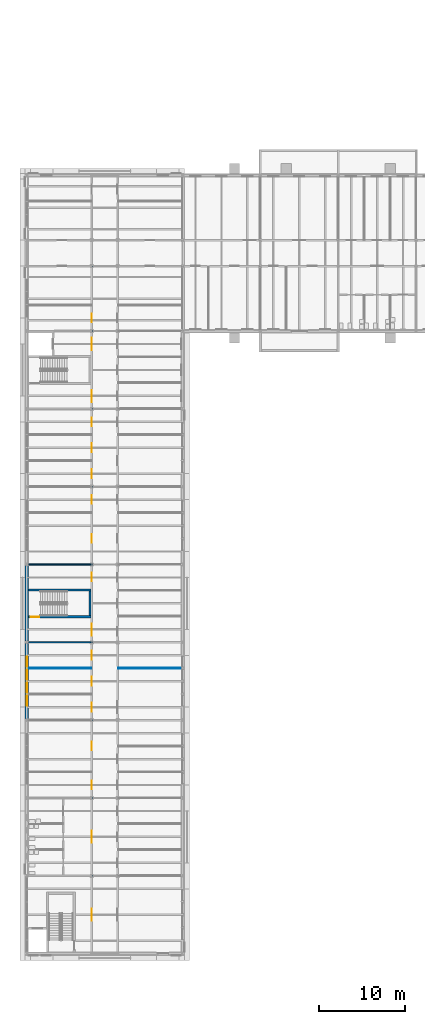
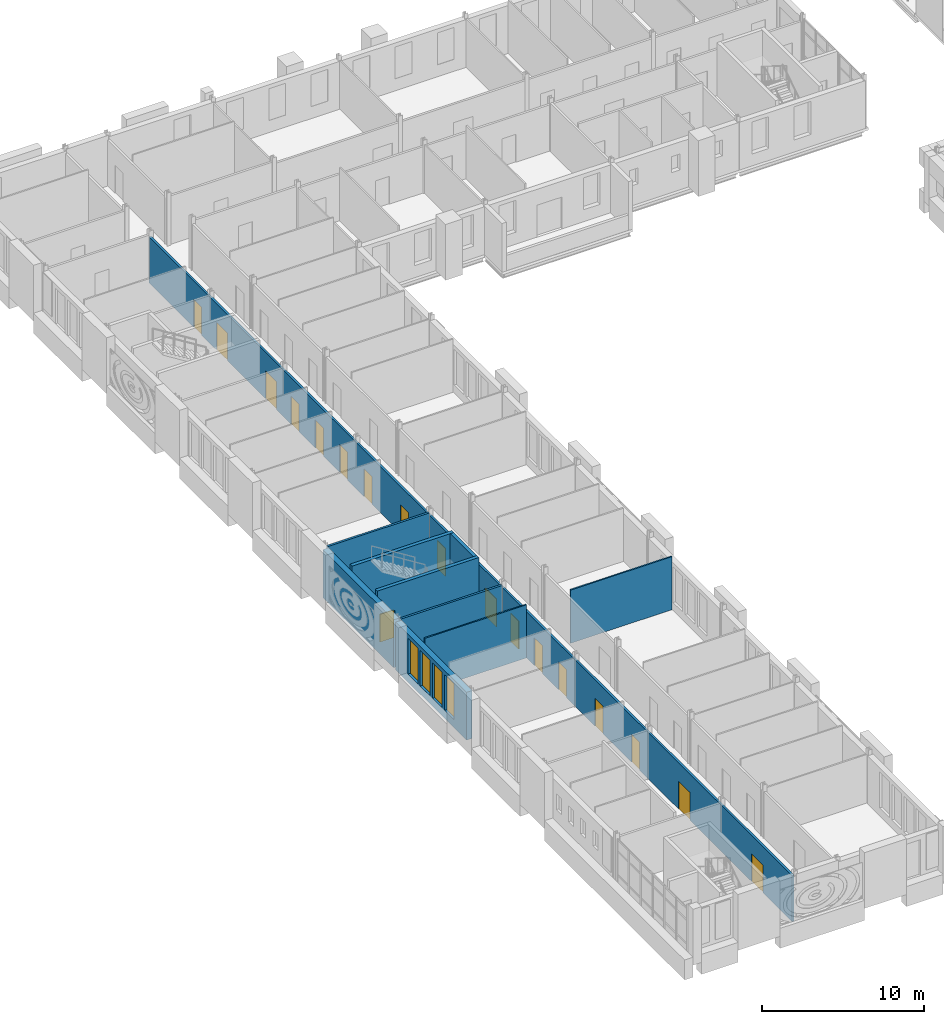
# One storey, part 101 of 154: 18 doors, 10 walls, 4 windows, 22 openings.
"""IFC4 building model written with IfcOpenShell, lengths in metres."""

from ifc_helpers import new_model, si_unit, direction, frame, frame_2d, origin, place, context, subcontext, project, spatial, rectangle, extrude, material, layer, layer_set, type_object, element, fill, save


model = new_model("IFC4")

# Units and contexts
model_context = context("Model", 3, precision=1e-05, world=origin(), true_north=direction((0.0, 1.0)))
body_context = subcontext(model_context, "Body", "Model", "MODEL_VIEW")
ifc_project = project(units=[si_unit("LENGTHUNIT", "METRE"), si_unit("AREAUNIT", "SQUARE_METRE"), si_unit("VOLUMEUNIT", "CUBIC_METRE"), si_unit("PLANEANGLEUNIT", "RADIAN"), si_unit("MASSUNIT", "GRAM", prefix="KILO")], contexts=[model_context])

# Site, building, storey
site_placement = place(None, origin())
site = spatial("IfcSite", under=ifc_project, at=site_placement, CompositionType="ELEMENT")
building_placement = place(site_placement, origin())
building = spatial("IfcBuilding", under=site, at=building_placement, Name="Golden Quay Civic Hall", CompositionType="ELEMENT")
storey_placement = place(building_placement, frame((0.0, 0.0, 14.39990234375)))
storey = spatial("IfcBuildingStorey", under=building, at=storey_placement, Name="L03", CompositionType="ELEMENT", Elevation=14.39990234375)

# Wall, opening, door
ifc_material_1 = material(Name="Concrete C40/50", Category="concrete")
ifc_layer_1 = layer(ifc_material_1, 0.25)
ifc_layer_set_1 = layer_set([ifc_layer_1], Name="Concrete core wall 250, Concrete C40/50")
wall_type_1 = type_object("IfcWallType", Name="Concrete core wall 250", PredefinedType="SHEAR", material=ifc_layer_set_1)
wall_1_placement = place(storey_placement, frame((0.199951171875, 29.949951171875, 0.0), z_axis=(0.0, 0.0, 1.0), x_axis=(1.0, 0.0, 0.0)))
wall_1 = element("IfcWall", 1, at=wall_1_placement, inside=storey, type_object=wall_type_1, Name="Core wall WO-M-W1", PredefinedType="SHEAR", context=body_context, shape_type="SweptSolid", body=[
    extrude(rectangle(XDim=7.22509765625, YDim=0.25, at=frame_2d((3.612548828125, 0.0))), origin(), (0.0, 0.0, 1.0), 4.0),
])
opening_1_placement = place(wall_1_placement, frame((0.25, 0.0, 0.0)))
opening_1 = element("IfcOpeningElement", 2, at=opening_1_placement, cuts=wall_1, Name="Opening L03-D043", PredefinedType="OPENING", context=body_context, shape_type="SweptSolid", body=[
    extrude(rectangle(XDim=1.0, YDim=2.10009765625, at=frame_2d((0.5, 1.050048828125))), frame((0.0, 0.135009765625, 0.0), z_axis=(0.0, -1.0, 0.0), x_axis=(1.0, 0.0, 0.0)), (0.0, 0.0, 1.0), 0.27001953125),
])
ifc_material_2 = material(Name="Steel", Category="steel")
door_type_1 = type_object("IfcDoorType", Name="Steel fire door FD60 1000 x 2100", OperationType="SINGLE_SWING_LEFT", PredefinedType="DOOR", material=ifc_material_2)
door_1_placement = place(opening_1_placement, origin())
door_1 = element("IfcDoor", 3, at=door_1_placement, inside=storey, type_object=door_type_1, Name="Door L03-D043", OperationType="SINGLE_SWING_LEFT", OverallHeight=2.10009765625, OverallWidth=1.0, PredefinedType="DOOR", context=body_context, shape_type="SweptSolid", body=[
    extrude(rectangle(XDim=1.0, YDim=2.10009765625, at=frame_2d((0.5, 1.050048828125))), frame((0.0, 0.02490234375, 0.0), z_axis=(0.0, -1.0, 0.0), x_axis=(1.0, 0.0, 0.0)), (0.0, 0.0, 1.0), 0.050048828125),
])
fill(opening_1, door_1)

# Walls
wall_2_placement = place(storey_placement, frame((0.199951171875, 33.050048828125, 0.0), z_axis=(0.0, 0.0, 1.0), x_axis=(1.0, 0.0, 0.0)))
element("IfcWall", 4, at=wall_2_placement, inside=storey, type_object=wall_type_1, Name="Core wall WO-M-W2", PredefinedType="SHEAR", context=body_context, shape_type="SweptSolid", body=[
    extrude(rectangle(XDim=7.22509765625, YDim=0.25, at=frame_2d((3.612548828125, 0.0))), origin(), (0.0, 0.0, 1.0), 4.0),
])
wall_3_placement = place(storey_placement, frame((7.300048828125, 30.074951171875, 0.0), z_axis=(0.0, 0.0, 1.0), x_axis=(0.0, 1.0, 0.0)))
element("IfcWall", 5, at=wall_3_placement, inside=storey, type_object=wall_type_1, Name="Core wall WO-M-W3", PredefinedType="SHEAR", context=body_context, shape_type="SweptSolid", body=[
    extrude(rectangle(XDim=2.85009765625, YDim=0.25, at=frame_2d((1.425048828125, 0.0))), origin(), (0.0, 0.0, 1.0), 4.0),
])
ifc_material_3 = material(Name="Plasterboard on steel studs", Category="steel")
ifc_layer_2 = layer(ifc_material_3, 0.10009765625)
ifc_layer_set_2 = layer_set([ifc_layer_2], Name="Partition 100 stud")
wall_type_2 = type_object("IfcWallType", Name="Partition 100 stud", PredefinedType="PARTITIONING", material=ifc_layer_set_2)
for number, where, z_axis, x_axis, name in (
    (6, (0.199951171875, 24.0, 0.0), (0.0, 0.0, 1.0), (1.0, 0.0, 0.0), "Partition L03-004"),
    (7, (10.574951171875, 24.0, 0.0), (0.0, 0.0, 1.0), (1.0, 0.0, 0.0), "Partition L03-018"),
):
    element("IfcWall", number, at=place(storey_placement, frame(where, z_axis=z_axis, x_axis=x_axis)), inside=storey, type_object=wall_type_2, Name=name, PredefinedType="PARTITIONING", context=body_context, shape_type="SweptSolid", body=[
        extrude(rectangle(XDim=7.22509765625, YDim=0.10009765625, at=frame_2d((3.612548828125, 0.0))), origin(), (0.0, 0.0, 1.0), 4.0),
    ])
ifc_material_4 = material(Name="Plasterboard on steel studs", Category="steel")
ifc_layer_3 = layer(ifc_material_4, 0.14990234375)
ifc_layer_set_3 = layer_set([ifc_layer_3], Name="Partition 150 stud fire EI 60")
wall_type_3 = type_object("IfcWallType", Name="Partition 150 stud fire EI 60", PredefinedType="PARTITIONING", material=ifc_layer_set_3)
for number, where, z_axis, x_axis, name in (
    (8, (0.199951171875, 27.0, 0.0), (0.0, 0.0, 1.0), (1.0, 0.0, 0.0), "Partition L03-005"),
    (9, (0.199951171875, 36.0, 0.0), (0.0, 0.0, 1.0), (1.0, 0.0, 0.0), "Partition L03-006"),
):
    element("IfcWall", number, at=place(storey_placement, frame(where, z_axis=z_axis, x_axis=x_axis)), inside=storey, type_object=wall_type_3, Name=name, PredefinedType="PARTITIONING", context=body_context, shape_type="SweptSolid", body=[
        extrude(rectangle(XDim=7.22509765625, YDim=0.14990234375, at=frame_2d((3.612548828125, 0.0))), origin(), (0.0, 0.0, 1.0), 3.650146484375),
    ])

# Wall, openings, doors
wall_4_placement = place(storey_placement, frame((7.5, -8.800048828125, 0.0), z_axis=(0.0, 0.0, 1.0), x_axis=(0.0, 1.0, 0.0)))
wall_4 = element("IfcWall", 10, at=wall_4_placement, inside=storey, type_object=wall_type_3, Name="Partition L03-030", PredefinedType="PARTITIONING", context=body_context, shape_type="SweptSolid", body=[
    extrude(rectangle(XDim=79.300048828125, YDim=0.14990234375, at=frame_2d((39.64990234375, 0.0))), origin(), (0.0, 0.0, 1.0), 3.47998046875),
])
opening_2_placement = place(wall_4_placement, frame((18.800048828125, 0.0, 0.0)))
opening_2 = element("IfcOpeningElement", 11, at=opening_2_placement, cuts=wall_4, Name="Opening L03-D006", PredefinedType="OPENING", context=body_context, shape_type="SweptSolid", body=[
    extrude(rectangle(XDim=1.0, YDim=2.10009765625, at=frame_2d((0.5, 1.050048828125))), frame((0.0, 0.0849609375, 0.0), z_axis=(0.0, -1.0, 0.0), x_axis=(1.0, 0.0, 0.0)), (0.0, 0.0, 1.0), 0.169921875),
])
opening_3_placement = place(wall_4_placement, frame((23.300048828125, 0.0, 0.0)))
opening_3 = element("IfcOpeningElement", 12, at=opening_3_placement, cuts=wall_4, Name="Opening L03-D007", PredefinedType="OPENING", context=body_context, shape_type="SweptSolid", body=[
    extrude(rectangle(XDim=1.0, YDim=2.10009765625, at=frame_2d((0.5, 1.050048828125))), frame((0.0, 0.0849609375, 0.0), z_axis=(0.0, -1.0, 0.0), x_axis=(1.0, 0.0, 0.0)), (0.0, 0.0, 1.0), 0.169921875),
])
opening_4_placement = place(wall_4_placement, frame((27.800048828125, 0.0, 0.0)))
opening_4 = element("IfcOpeningElement", 13, at=opening_4_placement, cuts=wall_4, Name="Opening L03-D008", PredefinedType="OPENING", context=body_context, shape_type="SweptSolid", body=[
    extrude(rectangle(XDim=1.0, YDim=2.10009765625, at=frame_2d((0.5, 1.050048828125))), frame((0.0, 0.0849609375, 0.0), z_axis=(0.0, -1.0, 0.0), x_axis=(1.0, 0.0, 0.0)), (0.0, 0.0, 1.0), 0.169921875),
])
opening_5_placement = place(wall_4_placement, frame((30.800048828125, 0.0, 0.0)))
opening_5 = element("IfcOpeningElement", 14, at=opening_5_placement, cuts=wall_4, Name="Opening L03-D009", PredefinedType="OPENING", context=body_context, shape_type="SweptSolid", body=[
    extrude(rectangle(XDim=1.0, YDim=2.10009765625, at=frame_2d((0.5, 1.050048828125))), frame((0.0, 0.0849609375, 0.0), z_axis=(0.0, -1.0, 0.0), x_axis=(1.0, 0.0, 0.0)), (0.0, 0.0, 1.0), 0.169921875),
])
opening_6_placement = place(wall_4_placement, frame((33.800048828125, 0.0, 0.0)))
opening_6 = element("IfcOpeningElement", 15, at=opening_6_placement, cuts=wall_4, Name="Opening L03-D010", PredefinedType="OPENING", context=body_context, shape_type="SweptSolid", body=[
    extrude(rectangle(XDim=1.0, YDim=2.10009765625, at=frame_2d((0.5, 1.050048828125))), frame((0.0, 0.0849609375, 0.0), z_axis=(0.0, -1.0, 0.0), x_axis=(1.0, 0.0, 0.0)), (0.0, 0.0, 1.0), 0.169921875),
])
opening_7_placement = place(wall_4_placement, frame((47.300048828125, 0.0, 0.0)))
opening_7 = element("IfcOpeningElement", 16, at=opening_7_placement, cuts=wall_4, Name="Opening L03-D011", PredefinedType="OPENING", context=body_context, shape_type="SweptSolid", body=[
    extrude(rectangle(XDim=1.0, YDim=2.10009765625, at=frame_2d((0.5, 1.050048828125))), frame((0.0, 0.0849609375, 0.0), z_axis=(0.0, -1.0, 0.0), x_axis=(1.0, 0.0, 0.0)), (0.0, 0.0, 1.0), 0.169921875),
])
opening_8_placement = place(wall_4_placement, frame((51.800048828125, 0.0, 0.0)))
opening_8 = element("IfcOpeningElement", 17, at=opening_8_placement, cuts=wall_4, Name="Opening L03-D012", PredefinedType="OPENING", context=body_context, shape_type="SweptSolid", body=[
    extrude(rectangle(XDim=1.0, YDim=2.10009765625, at=frame_2d((0.5, 1.050048828125))), frame((0.0, 0.0849609375, 0.0), z_axis=(0.0, -1.0, 0.0), x_axis=(1.0, 0.0, 0.0)), (0.0, 0.0, 1.0), 0.169921875),
])
opening_9_placement = place(wall_4_placement, frame((54.800048828125, 0.0, 0.0)))
opening_9 = element("IfcOpeningElement", 18, at=opening_9_placement, cuts=wall_4, Name="Opening L03-D013", PredefinedType="OPENING", context=body_context, shape_type="SweptSolid", body=[
    extrude(rectangle(XDim=1.0, YDim=2.10009765625, at=frame_2d((0.5, 1.050048828125))), frame((0.0, 0.0849609375, 0.0), z_axis=(0.0, -1.0, 0.0), x_axis=(1.0, 0.0, 0.0)), (0.0, 0.0, 1.0), 0.169921875),
])
opening_10_placement = place(wall_4_placement, frame((57.800048828125, 0.0, 0.0)))
opening_10 = element("IfcOpeningElement", 19, at=opening_10_placement, cuts=wall_4, Name="Opening L03-D014", PredefinedType="OPENING", context=body_context, shape_type="SweptSolid", body=[
    extrude(rectangle(XDim=1.0, YDim=2.10009765625, at=frame_2d((0.5, 1.050048828125))), frame((0.0, 0.0849609375, 0.0), z_axis=(0.0, -1.0, 0.0), x_axis=(1.0, 0.0, 0.0)), (0.0, 0.0, 1.0), 0.169921875),
])
opening_11_placement = place(wall_4_placement, frame((60.800048828125, 0.0, 0.0)))
opening_11 = element("IfcOpeningElement", 20, at=opening_11_placement, cuts=wall_4, Name="Opening L03-D015", PredefinedType="OPENING", context=body_context, shape_type="SweptSolid", body=[
    extrude(rectangle(XDim=1.0, YDim=2.10009765625, at=frame_2d((0.5, 1.050048828125))), frame((0.0, 0.0849609375, 0.0), z_axis=(0.0, -1.0, 0.0), x_axis=(1.0, 0.0, 0.0)), (0.0, 0.0, 1.0), 0.169921875),
])
opening_12_placement = place(wall_4_placement, frame((12.60009765625, 0.0, 0.0)))
opening_12 = element("IfcOpeningElement", 21, at=opening_12_placement, cuts=wall_4, Name="Opening L03-D033", PredefinedType="OPENING", context=body_context, shape_type="SweptSolid", body=[
    extrude(rectangle(XDim=1.39990234375, YDim=2.10009765625, at=frame_2d((0.699951171875, 1.050048828125))), frame((0.0, 0.0849609375, 0.0), z_axis=(0.0, -1.0, 0.0), x_axis=(1.0, 0.0, 0.0)), (0.0, 0.0, 1.0), 0.169921875),
])
opening_13_placement = place(wall_4_placement, frame((3.60009765625, 0.0, 0.0)))
opening_13 = element("IfcOpeningElement", 22, at=opening_13_placement, cuts=wall_4, Name="Opening L03-D038", PredefinedType="OPENING", context=body_context, shape_type="SweptSolid", body=[
    extrude(rectangle(XDim=1.39990234375, YDim=2.10009765625, at=frame_2d((0.699951171875, 1.050048828125))), frame((0.0, 0.0849609375, 0.0), z_axis=(0.0, -1.0, 0.0), x_axis=(1.0, 0.0, 0.0)), (0.0, 0.0, 1.0), 0.169921875),
])
opening_14_placement = place(wall_4_placement, frame((63.550048828125, 0.0, 0.0)))
opening_14 = element("IfcOpeningElement", 23, at=opening_14_placement, cuts=wall_4, Name="Opening L03-D040", PredefinedType="OPENING", context=body_context, shape_type="SweptSolid", body=[
    extrude(rectangle(XDim=1.39990234375, YDim=2.10009765625, at=frame_2d((0.699951171875, 1.050048828125))), frame((0.0, 0.0849609375, 0.0), z_axis=(0.0, -1.0, 0.0), x_axis=(1.0, 0.0, 0.0)), (0.0, 0.0, 1.0), 0.169921875),
])
opening_15_placement = place(wall_4_placement, frame((69.60009765625, 0.0, 0.0)))
opening_15 = element("IfcOpeningElement", 24, at=opening_15_placement, cuts=wall_4, Name="Opening L03-D041", PredefinedType="OPENING", context=body_context, shape_type="SweptSolid", body=[
    extrude(rectangle(XDim=1.39990234375, YDim=2.10009765625, at=frame_2d((0.699951171875, 1.050048828125))), frame((0.0, 0.0849609375, 0.0), z_axis=(0.0, -1.0, 0.0), x_axis=(1.0, 0.0, 0.0)), (0.0, 0.0, 1.0), 0.169921875),
])
opening_16_placement = place(wall_4_placement, frame((42.85009765625, 0.0, 0.0)))
opening_16 = element("IfcOpeningElement", 25, at=opening_16_placement, cuts=wall_4, Name="Opening L03-D042", PredefinedType="OPENING", context=body_context, shape_type="SweptSolid", body=[
    extrude(rectangle(XDim=1.0, YDim=2.10009765625, at=frame_2d((0.5, 1.050048828125))), frame((0.0, 0.0849609375, 0.0), z_axis=(0.0, -1.0, 0.0), x_axis=(1.0, 0.0, 0.0)), (0.0, 0.0, 1.0), 0.169921875),
])
opening_17_placement = place(wall_4_placement, frame((36.550048828125, 0.0, 0.0)))
opening_17 = element("IfcOpeningElement", 26, at=opening_17_placement, cuts=wall_4, Name="Opening L03-D044", PredefinedType="OPENING", context=body_context, shape_type="SweptSolid", body=[
    extrude(rectangle(XDim=1.39990234375, YDim=2.10009765625, at=frame_2d((0.699951171875, 1.050048828125))), frame((0.0, 0.0849609375, 0.0), z_axis=(0.0, -1.0, 0.0), x_axis=(1.0, 0.0, 0.0)), (0.0, 0.0, 1.0), 0.169921875),
])
opening_18_placement = place(wall_4_placement, frame((72.800048828125, 0.0, 0.0)))
opening_18 = element("IfcOpeningElement", 27, at=opening_18_placement, cuts=wall_4, Name="Opening L03-D045", PredefinedType="OPENING", context=body_context, shape_type="SweptSolid", body=[
    extrude(rectangle(XDim=1.0, YDim=2.10009765625, at=frame_2d((0.5, 1.050048828125))), frame((0.0, 0.0849609375, 0.0), z_axis=(0.0, -1.0, 0.0), x_axis=(1.0, 0.0, 0.0)), (0.0, 0.0, 1.0), 0.169921875),
])
ifc_material_5 = material(Name="Steel", Category="steel")
door_type_2 = type_object("IfcDoorType", Name="Steel double fire door FD30S 1400 x 2100", OperationType="DOUBLE_DOOR_SINGLE_SWING", PredefinedType="DOOR", material=ifc_material_5)
door_2_placement = place(opening_12_placement, origin())
door_2 = element("IfcDoor", 28, at=door_2_placement, inside=storey, type_object=door_type_2, Name="Door L03-D033", OperationType="DOUBLE_DOOR_SINGLE_SWING", OverallHeight=2.10009765625, OverallWidth=1.39990234375, PredefinedType="DOOR", context=body_context, shape_type="SweptSolid", body=[
    extrude(rectangle(XDim=1.39990234375, YDim=2.10009765625, at=frame_2d((0.699951171875, 1.050048828125))), frame((0.0, 0.02490234375, 0.0), z_axis=(0.0, -1.0, 0.0), x_axis=(1.0, 0.0, 0.0)), (0.0, 0.0, 1.0), 0.050048828125),
])
fill(opening_12, door_2)
door_3_placement = place(opening_13_placement, frame((1.39990234375, 0.0, 0.0), z_axis=(0.0, 0.0, 1.0), x_axis=(-1.0, 0.0, 0.0)))
door_3 = element("IfcDoor", 29, at=door_3_placement, inside=storey, type_object=door_type_2, Name="Door L03-D038", OperationType="DOUBLE_DOOR_SINGLE_SWING", OverallHeight=2.10009765625, OverallWidth=1.39990234375, PredefinedType="DOOR", context=body_context, shape_type="SweptSolid", body=[
    extrude(rectangle(XDim=1.39990234375, YDim=2.10009765625, at=frame_2d((0.699951171875, 1.050048828125))), frame((0.0, 0.025146484375, 0.0), z_axis=(0.0, -1.0, 0.0), x_axis=(1.0, 0.0, 0.0)), (0.0, 0.0, 1.0), 0.050048828125),
])
fill(opening_13, door_3)
door_4_placement = place(opening_14_placement, frame((1.39990234375, 0.0, 0.0), z_axis=(0.0, 0.0, 1.0), x_axis=(-1.0, 0.0, 0.0)))
door_4 = element("IfcDoor", 30, at=door_4_placement, inside=storey, type_object=door_type_2, Name="Door L03-D040", OperationType="DOUBLE_DOOR_SINGLE_SWING", OverallHeight=2.10009765625, OverallWidth=1.39990234375, PredefinedType="DOOR", context=body_context, shape_type="SweptSolid", body=[
    extrude(rectangle(XDim=1.39990234375, YDim=2.10009765625, at=frame_2d((0.699951171875, 1.050048828125))), frame((0.0, 0.025146484375, 0.0), z_axis=(0.0, -1.0, 0.0), x_axis=(1.0, 0.0, 0.0)), (0.0, 0.0, 1.0), 0.050048828125),
])
fill(opening_14, door_4)
door_5_placement = place(opening_15_placement, frame((1.39990234375, 0.0, 0.0), z_axis=(0.0, 0.0, 1.0), x_axis=(-1.0, 0.0, 0.0)))
door_5 = element("IfcDoor", 31, at=door_5_placement, inside=storey, type_object=door_type_2, Name="Door L03-D041", OperationType="DOUBLE_DOOR_SINGLE_SWING", OverallHeight=2.10009765625, OverallWidth=1.39990234375, PredefinedType="DOOR", context=body_context, shape_type="SweptSolid", body=[
    extrude(rectangle(XDim=1.39990234375, YDim=2.10009765625, at=frame_2d((0.699951171875, 1.050048828125))), frame((0.0, 0.025146484375, 0.0), z_axis=(0.0, -1.0, 0.0), x_axis=(1.0, 0.0, 0.0)), (0.0, 0.0, 1.0), 0.050048828125),
])
fill(opening_15, door_5)
door_6_placement = place(opening_17_placement, frame((1.39990234375, 0.0, 0.0), z_axis=(0.0, 0.0, 1.0), x_axis=(-1.0, 0.0, 0.0)))
door_6 = element("IfcDoor", 32, at=door_6_placement, inside=storey, type_object=door_type_2, Name="Door L03-D044", OperationType="DOUBLE_DOOR_SINGLE_SWING", OverallHeight=2.10009765625, OverallWidth=1.39990234375, PredefinedType="DOOR", context=body_context, shape_type="SweptSolid", body=[
    extrude(rectangle(XDim=1.39990234375, YDim=2.10009765625, at=frame_2d((0.699951171875, 1.050048828125))), frame((0.0, 0.025146484375, 0.0), z_axis=(0.0, -1.0, 0.0), x_axis=(1.0, 0.0, 0.0)), (0.0, 0.0, 1.0), 0.050048828125),
])
fill(opening_17, door_6)
ifc_material_6 = material(Name="Steel", Category="steel")
door_type_3 = type_object("IfcDoorType", Name="Steel fire door FD30S 1000 x 2100", OperationType="SINGLE_SWING_LEFT", PredefinedType="DOOR", material=ifc_material_6)
door_7_placement = place(opening_2_placement, origin())
door_7 = element("IfcDoor", 33, at=door_7_placement, inside=storey, type_object=door_type_3, Name="Door L03-D006", OperationType="SINGLE_SWING_LEFT", OverallHeight=2.10009765625, OverallWidth=1.0, PredefinedType="DOOR", context=body_context, shape_type="SweptSolid", body=[
    extrude(rectangle(XDim=1.0, YDim=2.10009765625, at=frame_2d((0.5, 1.050048828125))), frame((0.0, 0.02490234375, 0.0), z_axis=(0.0, -1.0, 0.0), x_axis=(1.0, 0.0, 0.0)), (0.0, 0.0, 1.0), 0.050048828125),
])
fill(opening_2, door_7)
door_8_placement = place(opening_3_placement, origin())
door_8 = element("IfcDoor", 34, at=door_8_placement, inside=storey, type_object=door_type_3, Name="Door L03-D007", OperationType="SINGLE_SWING_LEFT", OverallHeight=2.10009765625, OverallWidth=1.0, PredefinedType="DOOR", context=body_context, shape_type="SweptSolid", body=[
    extrude(rectangle(XDim=1.0, YDim=2.10009765625, at=frame_2d((0.5, 1.050048828125))), frame((0.0, 0.02490234375, 0.0), z_axis=(0.0, -1.0, 0.0), x_axis=(1.0, 0.0, 0.0)), (0.0, 0.0, 1.0), 0.050048828125),
])
fill(opening_3, door_8)
door_9_placement = place(opening_4_placement, origin())
door_9 = element("IfcDoor", 35, at=door_9_placement, inside=storey, type_object=door_type_3, Name="Door L03-D008", OperationType="SINGLE_SWING_LEFT", OverallHeight=2.10009765625, OverallWidth=1.0, PredefinedType="DOOR", context=body_context, shape_type="SweptSolid", body=[
    extrude(rectangle(XDim=1.0, YDim=2.10009765625, at=frame_2d((0.5, 1.050048828125))), frame((0.0, 0.02490234375, 0.0), z_axis=(0.0, -1.0, 0.0), x_axis=(1.0, 0.0, 0.0)), (0.0, 0.0, 1.0), 0.050048828125),
])
fill(opening_4, door_9)
door_10_placement = place(opening_5_placement, origin())
door_10 = element("IfcDoor", 36, at=door_10_placement, inside=storey, type_object=door_type_3, Name="Door L03-D009", OperationType="SINGLE_SWING_LEFT", OverallHeight=2.10009765625, OverallWidth=1.0, PredefinedType="DOOR", context=body_context, shape_type="SweptSolid", body=[
    extrude(rectangle(XDim=1.0, YDim=2.10009765625, at=frame_2d((0.5, 1.050048828125))), frame((0.0, 0.02490234375, 0.0), z_axis=(0.0, -1.0, 0.0), x_axis=(1.0, 0.0, 0.0)), (0.0, 0.0, 1.0), 0.050048828125),
])
fill(opening_5, door_10)
door_11_placement = place(opening_6_placement, origin())
door_11 = element("IfcDoor", 37, at=door_11_placement, inside=storey, type_object=door_type_3, Name="Door L03-D010", OperationType="SINGLE_SWING_LEFT", OverallHeight=2.10009765625, OverallWidth=1.0, PredefinedType="DOOR", context=body_context, shape_type="SweptSolid", body=[
    extrude(rectangle(XDim=1.0, YDim=2.10009765625, at=frame_2d((0.5, 1.050048828125))), frame((0.0, 0.02490234375, 0.0), z_axis=(0.0, -1.0, 0.0), x_axis=(1.0, 0.0, 0.0)), (0.0, 0.0, 1.0), 0.050048828125),
])
fill(opening_6, door_11)
door_12_placement = place(opening_7_placement, origin())
door_12 = element("IfcDoor", 38, at=door_12_placement, inside=storey, type_object=door_type_3, Name="Door L03-D011", OperationType="SINGLE_SWING_LEFT", OverallHeight=2.10009765625, OverallWidth=1.0, PredefinedType="DOOR", context=body_context, shape_type="SweptSolid", body=[
    extrude(rectangle(XDim=1.0, YDim=2.10009765625, at=frame_2d((0.5, 1.050048828125))), frame((0.0, 0.02490234375, 0.0), z_axis=(0.0, -1.0, 0.0), x_axis=(1.0, 0.0, 0.0)), (0.0, 0.0, 1.0), 0.050048828125),
])
fill(opening_7, door_12)
door_13_placement = place(opening_8_placement, origin())
door_13 = element("IfcDoor", 39, at=door_13_placement, inside=storey, type_object=door_type_3, Name="Door L03-D012", OperationType="SINGLE_SWING_LEFT", OverallHeight=2.10009765625, OverallWidth=1.0, PredefinedType="DOOR", context=body_context, shape_type="SweptSolid", body=[
    extrude(rectangle(XDim=1.0, YDim=2.10009765625, at=frame_2d((0.5, 1.050048828125))), frame((0.0, 0.02490234375, 0.0), z_axis=(0.0, -1.0, 0.0), x_axis=(1.0, 0.0, 0.0)), (0.0, 0.0, 1.0), 0.050048828125),
])
fill(opening_8, door_13)
door_14_placement = place(opening_9_placement, origin())
door_14 = element("IfcDoor", 40, at=door_14_placement, inside=storey, type_object=door_type_3, Name="Door L03-D013", OperationType="SINGLE_SWING_LEFT", OverallHeight=2.10009765625, OverallWidth=1.0, PredefinedType="DOOR", context=body_context, shape_type="SweptSolid", body=[
    extrude(rectangle(XDim=1.0, YDim=2.10009765625, at=frame_2d((0.5, 1.050048828125))), frame((0.0, 0.02490234375, 0.0), z_axis=(0.0, -1.0, 0.0), x_axis=(1.0, 0.0, 0.0)), (0.0, 0.0, 1.0), 0.050048828125),
])
fill(opening_9, door_14)
door_15_placement = place(opening_10_placement, origin())
door_15 = element("IfcDoor", 41, at=door_15_placement, inside=storey, type_object=door_type_3, Name="Door L03-D014", OperationType="SINGLE_SWING_LEFT", OverallHeight=2.10009765625, OverallWidth=1.0, PredefinedType="DOOR", context=body_context, shape_type="SweptSolid", body=[
    extrude(rectangle(XDim=1.0, YDim=2.10009765625, at=frame_2d((0.5, 1.050048828125))), frame((0.0, 0.02490234375, 0.0), z_axis=(0.0, -1.0, 0.0), x_axis=(1.0, 0.0, 0.0)), (0.0, 0.0, 1.0), 0.050048828125),
])
fill(opening_10, door_15)
door_16_placement = place(opening_11_placement, origin())
door_16 = element("IfcDoor", 42, at=door_16_placement, inside=storey, type_object=door_type_3, Name="Door L03-D015", OperationType="SINGLE_SWING_LEFT", OverallHeight=2.10009765625, OverallWidth=1.0, PredefinedType="DOOR", context=body_context, shape_type="SweptSolid", body=[
    extrude(rectangle(XDim=1.0, YDim=2.10009765625, at=frame_2d((0.5, 1.050048828125))), frame((0.0, 0.02490234375, 0.0), z_axis=(0.0, -1.0, 0.0), x_axis=(1.0, 0.0, 0.0)), (0.0, 0.0, 1.0), 0.050048828125),
])
fill(opening_11, door_16)
door_17_placement = place(opening_16_placement, origin())
door_17 = element("IfcDoor", 43, at=door_17_placement, inside=storey, type_object=door_type_3, Name="Door L03-D042", OperationType="SINGLE_SWING_LEFT", OverallHeight=2.10009765625, OverallWidth=1.0, PredefinedType="DOOR", context=body_context, shape_type="SweptSolid", body=[
    extrude(rectangle(XDim=1.0, YDim=2.10009765625, at=frame_2d((0.5, 1.050048828125))), frame((0.0, 0.02490234375, 0.0), z_axis=(0.0, -1.0, 0.0), x_axis=(1.0, 0.0, 0.0)), (0.0, 0.0, 1.0), 0.050048828125),
])
fill(opening_16, door_17)
door_18_placement = place(opening_18_placement, origin())
door_18 = element("IfcDoor", 44, at=door_18_placement, inside=storey, type_object=door_type_3, Name="Door L03-D045", OperationType="SINGLE_SWING_LEFT", OverallHeight=2.10009765625, OverallWidth=1.0, PredefinedType="DOOR", context=body_context, shape_type="SweptSolid", body=[
    extrude(rectangle(XDim=1.0, YDim=2.10009765625, at=frame_2d((0.5, 1.050048828125))), frame((0.0, 0.02490234375, 0.0), z_axis=(0.0, -1.0, 0.0), x_axis=(1.0, 0.0, 0.0)), (0.0, 0.0, 1.0), 0.050048828125),
])
fill(opening_18, door_18)

# Wall, openings, windows
ifc_material_7 = material(Name="Clay block, rendered, cream")
ifc_layer_4 = layer(ifc_material_7, 0.39990234375)
ifc_layer_set_4 = layer_set([ifc_layer_4], Name="Rendered block external wall 400")
wall_type_4 = type_object("IfcWallType", Name="Rendered block external wall 400", PredefinedType="STANDARD", material=ifc_layer_set_4)
wall_5_placement = place(storey_placement, frame((0.0, 18.135009765625, 0.0), z_axis=(0.0, 0.0, 1.0), x_axis=(0.0, 1.0, 0.0)))
wall_5 = element("IfcWall", 45, at=wall_5_placement, inside=storey, type_object=wall_type_4, Name="Rendered block external wall 400 L03 3", PredefinedType="STANDARD", context=body_context, shape_type="SweptSolid", body=[
    extrude(rectangle(XDim=8.72998046875, YDim=0.39990234375, at=frame_2d((4.364990234375, 0.0))), origin(), (0.0, 0.0, 1.0), 3.60009765625),
])
opening_19_placement = place(wall_5_placement, frame((1.514892578125, 0.0, 0.60009765625)))
opening_19 = element("IfcOpeningElement", 46, at=opening_19_placement, cuts=wall_5, Name="Opening WN8", PredefinedType="OPENING", context=body_context, shape_type="SweptSolid", body=[
    extrude(rectangle(XDim=1.199951171875, YDim=2.699951171875, at=frame_2d((0.60009765625, 1.35009765625))), frame((0.0, 0.2099609375, 0.0), z_axis=(0.0, -1.0, 0.0), x_axis=(1.0, 0.0, 0.0)), (0.0, 0.0, 1.0), 0.419921875),
])
opening_20_placement = place(wall_5_placement, frame((3.014892578125, 0.0, 0.60009765625)))
opening_20 = element("IfcOpeningElement", 47, at=opening_20_placement, cuts=wall_5, Name="Opening WN8", PredefinedType="OPENING", context=body_context, shape_type="SweptSolid", body=[
    extrude(rectangle(XDim=1.199951171875, YDim=2.699951171875, at=frame_2d((0.60009765625, 1.35009765625))), frame((0.0, 0.2099609375, 0.0), z_axis=(0.0, -1.0, 0.0), x_axis=(1.0, 0.0, 0.0)), (0.0, 0.0, 1.0), 0.419921875),
])
opening_21_placement = place(wall_5_placement, frame((4.514892578125, 0.0, 0.60009765625)))
opening_21 = element("IfcOpeningElement", 48, at=opening_21_placement, cuts=wall_5, Name="Opening WN8", PredefinedType="OPENING", context=body_context, shape_type="SweptSolid", body=[
    extrude(rectangle(XDim=1.199951171875, YDim=2.699951171875, at=frame_2d((0.60009765625, 1.35009765625))), frame((0.0, 0.2099609375, 0.0), z_axis=(0.0, -1.0, 0.0), x_axis=(1.0, 0.0, 0.0)), (0.0, 0.0, 1.0), 0.419921875),
])
opening_22_placement = place(wall_5_placement, frame((6.014892578125, 0.0, 0.60009765625)))
opening_22 = element("IfcOpeningElement", 49, at=opening_22_placement, cuts=wall_5, Name="Opening WN8", PredefinedType="OPENING", context=body_context, shape_type="SweptSolid", body=[
    extrude(rectangle(XDim=1.199951171875, YDim=2.699951171875, at=frame_2d((0.60009765625, 1.35009765625))), frame((0.0, 0.2099609375, 0.0), z_axis=(0.0, -1.0, 0.0), x_axis=(1.0, 0.0, 0.0)), (0.0, 0.0, 1.0), 0.419921875),
])
ifc_material_8 = material(Name="Aluminium frame, double glazed", Category="aluminium")
window_type = type_object("IfcWindowType", Name="Golden grid window 1200 x 2700", PartitioningType="SINGLE_PANEL", PredefinedType="WINDOW", material=ifc_material_8)
window_1_placement = place(opening_19_placement, origin())
window_1 = element("IfcWindow", 50, at=window_1_placement, inside=storey, type_object=window_type, Name="Golden grid window 1200 x 2700 L03 5", OverallHeight=2.699951171875, OverallWidth=1.199951171875, PartitioningType="SINGLE_PANEL", PredefinedType="WINDOW", context=body_context, shape_type="SweptSolid", body=[
    extrude(rectangle(XDim=1.199951171875, YDim=2.699951171875, at=frame_2d((0.60009765625, 1.35009765625))), frame((0.0, 0.030029296875, 0.0), z_axis=(0.0, -1.0, 0.0), x_axis=(1.0, 0.0, 0.0)), (0.0, 0.0, 1.0), 0.06005859375),
])
fill(opening_19, window_1)
window_2_placement = place(opening_20_placement, origin())
window_2 = element("IfcWindow", 51, at=window_2_placement, inside=storey, type_object=window_type, Name="Golden grid window 1200 x 2700 L03 6", OverallHeight=2.699951171875, OverallWidth=1.199951171875, PartitioningType="SINGLE_PANEL", PredefinedType="WINDOW", context=body_context, shape_type="SweptSolid", body=[
    extrude(rectangle(XDim=1.199951171875, YDim=2.699951171875, at=frame_2d((0.60009765625, 1.35009765625))), frame((0.0, 0.030029296875, 0.0), z_axis=(0.0, -1.0, 0.0), x_axis=(1.0, 0.0, 0.0)), (0.0, 0.0, 1.0), 0.06005859375),
])
fill(opening_20, window_2)
window_3_placement = place(opening_21_placement, origin())
window_3 = element("IfcWindow", 52, at=window_3_placement, inside=storey, type_object=window_type, Name="Golden grid window 1200 x 2700 L03 7", OverallHeight=2.699951171875, OverallWidth=1.199951171875, PartitioningType="SINGLE_PANEL", PredefinedType="WINDOW", context=body_context, shape_type="SweptSolid", body=[
    extrude(rectangle(XDim=1.199951171875, YDim=2.699951171875, at=frame_2d((0.60009765625, 1.35009765625))), frame((0.0, 0.030029296875, 0.0), z_axis=(0.0, -1.0, 0.0), x_axis=(1.0, 0.0, 0.0)), (0.0, 0.0, 1.0), 0.06005859375),
])
fill(opening_21, window_3)
window_4_placement = place(opening_22_placement, origin())
window_4 = element("IfcWindow", 53, at=window_4_placement, inside=storey, type_object=window_type, Name="Golden grid window 1200 x 2700 L03 8", OverallHeight=2.699951171875, OverallWidth=1.199951171875, PartitioningType="SINGLE_PANEL", PredefinedType="WINDOW", context=body_context, shape_type="SweptSolid", body=[
    extrude(rectangle(XDim=1.199951171875, YDim=2.699951171875, at=frame_2d((0.60009765625, 1.35009765625))), frame((0.0, 0.030029296875, 0.0), z_axis=(0.0, -1.0, 0.0), x_axis=(1.0, 0.0, 0.0)), (0.0, 0.0, 1.0), 0.06005859375),
])
fill(opening_22, window_4)

# Wall
ifc_material_9 = material(Name="Clay block, rendered, cream")
ifc_layer_5 = layer(ifc_material_9, 0.39990234375)
ifc_layer_set_5 = layer_set([ifc_layer_5], Name="Rendered block external wall 400 fire EI 60")
wall_type_5 = type_object("IfcWallType", Name="Rendered block external wall 400 fire EI 60", PredefinedType="STANDARD", material=ifc_layer_set_5)
wall_6_placement = place(storey_placement, frame((0.0, 27.135009765625, 0.0), z_axis=(0.0, 0.0, 1.0), x_axis=(0.0, 1.0, 0.0)))
element("IfcWall", 54, at=wall_6_placement, inside=storey, type_object=wall_type_5, Name="Rendered block external wall 400 fire EI 60 L03 1", PredefinedType="STANDARD", context=body_context, shape_type="SweptSolid", body=[
    extrude(rectangle(XDim=8.72998046875, YDim=0.39990234375, at=frame_2d((4.364990234375, 0.0))), origin(), (0.0, 0.0, 1.0), 3.60009765625),
])

save(model, "model.ifc")
